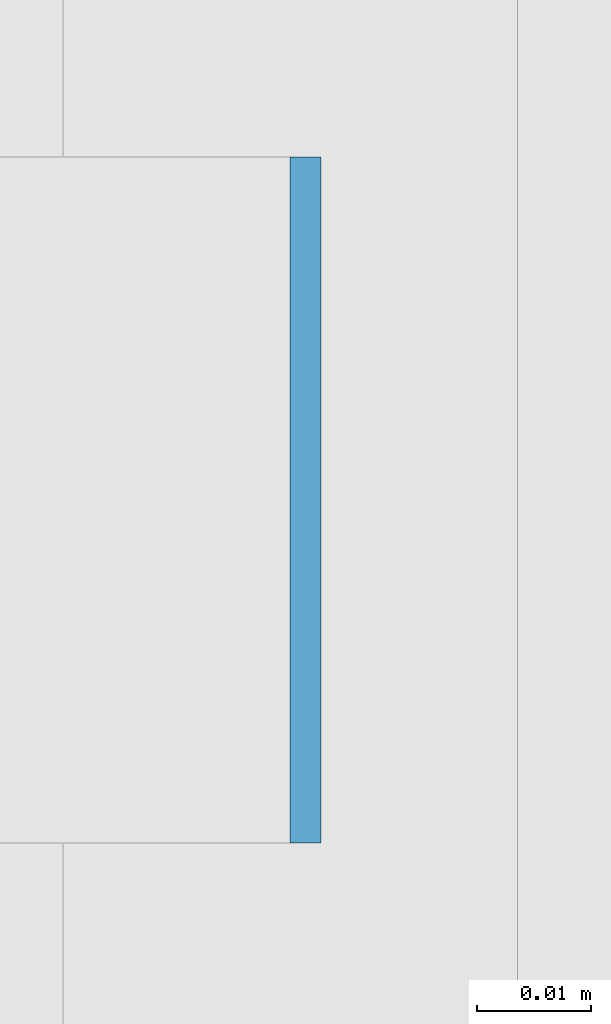
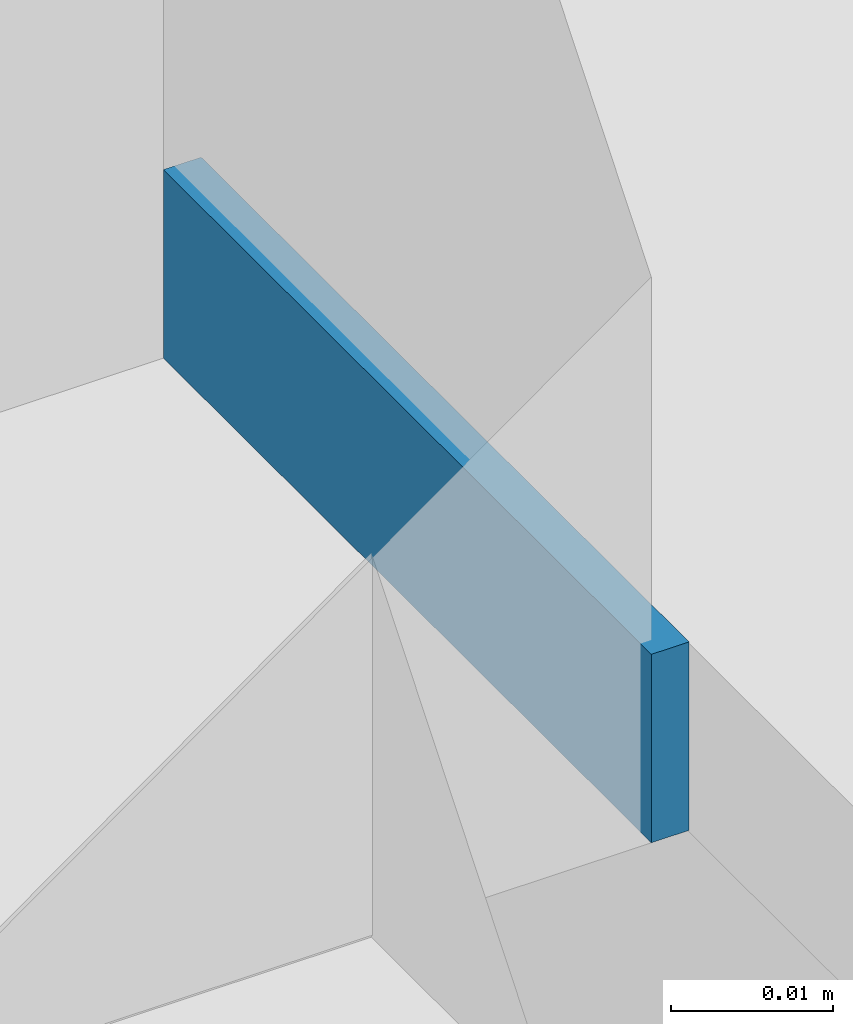
# One storey, part 378 of 646: 1 discrete accessory.
"""IFC4 building model written with IfcOpenShell, lengths in metres."""

from ifc_helpers import new_model, si_unit, direction, frame, origin, origin_2d, place, context, subcontext, project, spatial, rectangle, extrude, material, type_object, element, save


model = new_model("IFC4")

# Units and contexts
model_context = context("Model", 3, precision=1e-05, world=origin(), true_north=direction((0.0, 1.0)))
body_context = subcontext(model_context, "Body", "Model", "MODEL_VIEW")
ifc_project = project(units=[si_unit("LENGTHUNIT", "METRE"), si_unit("AREAUNIT", "SQUARE_METRE"), si_unit("VOLUMEUNIT", "CUBIC_METRE"), si_unit("PLANEANGLEUNIT", "RADIAN"), si_unit("MASSUNIT", "GRAM", prefix="KILO")], contexts=[model_context])

# Site, building, storey
site_placement = place(None, origin())
site = spatial("IfcSite", under=ifc_project, at=site_placement, CompositionType="ELEMENT")
building_placement = place(site_placement, origin())
building = spatial("IfcBuilding", under=site, at=building_placement, Name="Silverbay Arena", CompositionType="ELEMENT")
storey_placement = place(building_placement, frame((0.0, 0.0, 33.5)))
storey = spatial("IfcBuildingStorey", under=building, at=storey_placement, Name="L05", CompositionType="ELEMENT", Elevation=33.5)

# Discrete accessory
ifc_material = material(Name="Steel S355", Category="steel")
discrete_accessory_type = type_object("IfcDiscreteAccessoryType", Name="Steel bracket plate", PredefinedType="BRACKET", material=ifc_material)
discrete_accessory_placement = place(storey_placement, frame((53.871337890625, 106.71435546875, 4.0), z_axis=(0.0, 0.0, 1.0), x_axis=(1.0, 0.0, 0.0)))
element("IfcDiscreteAccessory", 1, at=discrete_accessory_placement, inside=storey, type_object=discrete_accessory_type, Name="Curtain wall packing plate", PredefinedType="BRACKET", context=body_context, shape_type="SweptSolid", body=[
    extrude(rectangle(XDim=0.002685546875, YDim=0.06005859375, at=origin_2d()), origin(), (0.0, 0.0, 1.0), 0.01416015625),
])

save(model, "model.ifc")
